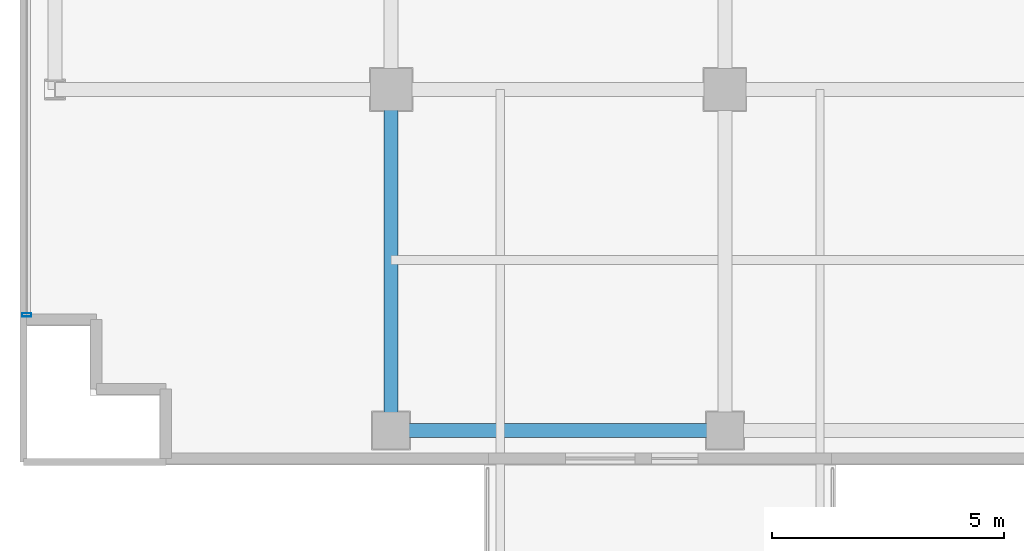
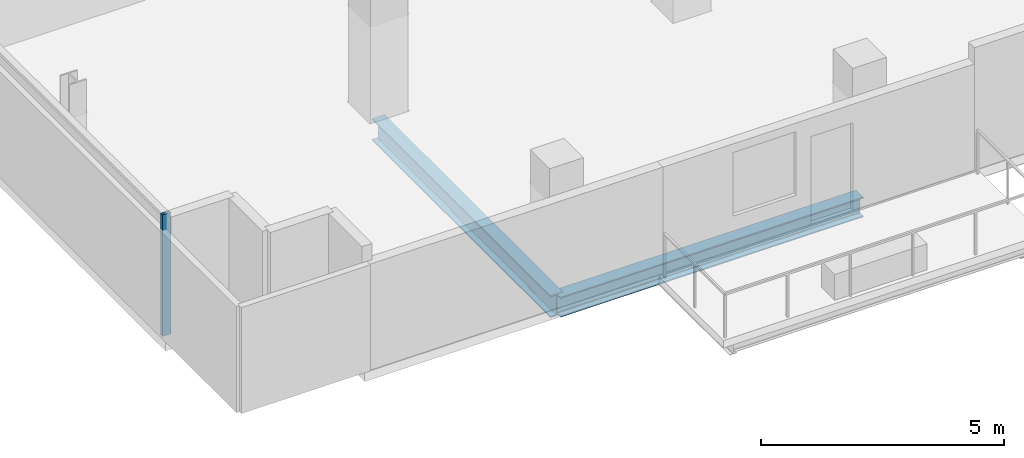
# One storey, part 2 of 27: 2 beams, 1 member, 1 element without a shape of its own.
"""IFC4 building model written with IfcOpenShell, lengths in metres."""

import ifcopenshell
import ifcopenshell.guid

model = None  # the IFC model being written
_history = None  # IfcOwnerHistory: only IFC2X3 demands one
_inside = {}  # id of a spatial element -> (the spatial element, [elements in it])
_under = {}  # id of a project, library or spatial element -> (it, [spatial elements below it])
_declared = {}  # id of a project -> (the project, [libraries it declares])
_typed = {}  # id of a type object -> (the type object, [elements of that type])
_made_of = {}  # id of a material, layer set ... -> (it, [elements and type objects made of it])


def new_model(schema):
    """Start an empty IFC model of exactly this schema.

    Asked for "IFC4X3", IfcOpenShell would pick the latest addendum, in which some entities
    have other attributes; the version numbers below select the first issue.
    IFC2X3 requires an IfcOwnerHistory on every rooted entity: one is made here for all.
    """
    global model, _history
    if schema == "IFC4X3":
        model = ifcopenshell.file(schema_version=(4, 3, 0, 0))
    else:
        model = ifcopenshell.file(schema=schema)
    _inside.clear()
    _under.clear()
    _declared.clear()
    _typed.clear()
    _made_of.clear()
    _history = None
    if model.schema == "IFC2X3":
        org = make("IfcOrganization", Name="unknown")
        user = make(
            "IfcPersonAndOrganization",
            ThePerson=make("IfcPerson", FamilyName="unknown"),
            TheOrganization=org,
        )
        app = make(
            "IfcApplication",
            ApplicationDeveloper=org,
            Version="unknown",
            ApplicationFullName="unknown",
            ApplicationIdentifier="unknown",
        )
        _history = make(
            "IfcOwnerHistory",
            OwningUser=user,
            OwningApplication=app,
            ChangeAction="ADDED",
            CreationDate=0,
        )
    return model


def make(cls, **values):
    """One entity of the class cls with the attributes given. An attribute that is None is left unset."""
    return model.create_entity(
        cls, **{name: value for name, value in values.items() if value is not None}
    )


def rooted(cls, **values):
    """An entity with a GlobalId (a new one), such as an element, a storey or a relation."""
    return make(cls, GlobalId=ifcopenshell.guid.new(), OwnerHistory=_history, **values)


def si_unit(unit_type, name, prefix=None):
    """IfcSIUnit, for example si_unit("LENGTHUNIT", "METRE", prefix="MILLI")."""
    return make("IfcSIUnit", UnitType=unit_type, Prefix=prefix, Name=name)


def assignment(units):
    """IfcUnitAssignment: the units of a project."""
    return None if units is None else make("IfcUnitAssignment", Units=units)


def point(xyz):
    """IfcCartesianPoint."""
    return None if xyz is None else make("IfcCartesianPoint", Coordinates=xyz)


def direction(xyz):
    """IfcDirection."""
    return None if xyz is None else make("IfcDirection", DirectionRatios=xyz)


def frame(location, z_axis=None, x_axis=None):
    """IfcAxis2Placement3D, a coordinate frame: its origin and axes. An axis left out is left unset."""
    return make(
        "IfcAxis2Placement3D",
        Location=point(location),
        Axis=direction(z_axis),
        RefDirection=direction(x_axis),
    )


def frame_2d(location, x_axis=None):
    """IfcAxis2Placement2D, a coordinate frame in the plane: its origin and x axis."""
    return make(
        "IfcAxis2Placement2D", Location=point(location), RefDirection=direction(x_axis)
    )


def origin():
    """The frame at (0, 0, 0) with its axes left unset."""
    return frame((0.0, 0.0, 0.0))


def origin_2d():
    """The frame at (0, 0) in the plane with its x axis left unset."""
    return frame_2d((0.0, 0.0))


def place(relative_to, where):
    """IfcLocalPlacement: puts the frame where relative to a parent placement (None: the world)."""
    return make(
        "IfcLocalPlacement", PlacementRelTo=relative_to, RelativePlacement=where
    )


def context(
    kind, dimensions, precision=None, world=None, true_north=None, identifier=None
):
    """IfcGeometricRepresentationContext, for example the 3D "Model" context."""
    return make(
        "IfcGeometricRepresentationContext",
        ContextIdentifier=identifier,
        ContextType=kind,
        CoordinateSpaceDimension=dimensions,
        Precision=precision,
        WorldCoordinateSystem=world,
        TrueNorth=true_north,
    )


def subcontext(parent, identifier, kind, view, scale=None):
    """IfcGeometricRepresentationSubContext, for example "Body" below "Model"."""
    return make(
        "IfcGeometricRepresentationSubContext",
        ContextIdentifier=identifier,
        ContextType=kind,
        ParentContext=parent,
        TargetScale=scale,
        TargetView=view,
    )


def project(units=None, contexts=None):
    """IfcProject with its units and contexts."""
    return rooted(
        "IfcProject",
        Name="project",
        RepresentationContexts=contexts,
        UnitsInContext=assignment(units),
    )


def spatial(cls, under=None, at=None, **own):
    """A site, building, storey or space (cls), placed at a placement, below another one or the project."""
    s = rooted(cls, ObjectPlacement=at, **own)
    if under is not None:
        _under.setdefault(under.id(), (under, []))[1].append(s)
    return s


def profile(cls, at=None, kind="AREA", **sizes):
    """A parametric profile (cls). Its sizes go by their IFC names, for example OverallWidth=200.0."""
    return make(cls, ProfileType=kind, Position=at, **sizes)


def hollow_rectangle(**sizes):
    """IfcRectangleHollowProfileDef."""
    return profile("IfcRectangleHollowProfileDef", **sizes)


def i_section(**sizes):
    """IfcIShapeProfileDef."""
    return profile("IfcIShapeProfileDef", **sizes)


def extrude(swept, where, along, depth):
    """IfcExtrudedAreaSolid: the profile swept, set in the frame where, extruded along a direction by depth."""
    return make(
        "IfcExtrudedAreaSolid",
        SweptArea=swept,
        Position=where,
        ExtrudedDirection=direction(along),
        Depth=depth,
    )


def shape(context_of_items, identifier, shape_type, items):
    """IfcShapeRepresentation: the items that make up one representation, for example the "Body"."""
    return make(
        "IfcShapeRepresentation",
        ContextOfItems=context_of_items,
        RepresentationIdentifier=identifier,
        RepresentationType=shape_type,
        Items=items,
    )


def source(mapping_origin, context_of_items, identifier, shape_type, items):
    """IfcRepresentationMap: a shape defined once, which mapped items show again and again."""
    return make(
        "IfcRepresentationMap",
        MappingOrigin=mapping_origin,
        MappedRepresentation=shape(context_of_items, identifier, shape_type, items),
    )


def transform(
    local_origin,
    x_axis=None,
    y_axis=None,
    z_axis=None,
    scale=None,
    scale2=None,
    scale3=None,
    uniform=True,
):
    """IfcCartesianTransformationOperator3D, or its non-uniform kind. x_axis, y_axis, z_axis: its Axis1, 2, 3."""
    if uniform:
        return make(
            "IfcCartesianTransformationOperator3D",
            Axis1=direction(x_axis),
            Axis2=direction(y_axis),
            LocalOrigin=point(local_origin),
            Scale=scale,
            Axis3=direction(z_axis),
        )
    return make(
        "IfcCartesianTransformationOperator3DnonUniform",
        Axis1=direction(x_axis),
        Axis2=direction(y_axis),
        LocalOrigin=point(local_origin),
        Scale=scale,
        Axis3=direction(z_axis),
        Scale2=scale2,
        Scale3=scale3,
    )


def mapped(mapping_source, mapping_target):
    """IfcMappedItem: shows the shape of a source again, moved by a transform."""
    return make(
        "IfcMappedItem", MappingSource=mapping_source, MappingTarget=mapping_target
    )


def material(Name=None, Category=None):
    """IfcMaterial."""
    return make("IfcMaterial", Name=Name, Category=Category)


def layer(
    of_material, thickness, ventilated=None, Name=None, Category=None, Priority=None
):
    """IfcMaterialLayer: one layer of a wall or slab, of a material (None: an air gap)."""
    return make(
        "IfcMaterialLayer",
        Material=of_material,
        LayerThickness=thickness,
        IsVentilated=ventilated,
        Name=Name,
        Category=Category,
        Priority=Priority,
    )


def layer_set(layers, Name=None):
    """IfcMaterialLayerSet."""
    return make("IfcMaterialLayerSet", MaterialLayers=layers, LayerSetName=Name)


def material_profile(
    of_material, cross_section, Name=None, Category=None, Priority=None
):
    """IfcMaterialProfile: a cross section and its material."""
    return make(
        "IfcMaterialProfile",
        Name=Name,
        Material=of_material,
        Profile=cross_section,
        Priority=Priority,
        Category=Category,
    )


def profile_set(profiles, Name=None, composite=None):
    """IfcMaterialProfileSet."""
    return make(
        "IfcMaterialProfileSet",
        Name=Name,
        MaterialProfiles=profiles,
        CompositeProfile=composite,
    )


def made_of(thing, what):
    """Note that an element or type object is made of a material, layer set ...; save() writes the relation."""
    if what is not None:
        _made_of.setdefault(what.id(), (what, []))[1].append(thing)
    return thing


def type_object(cls, material=None, **own):
    """A type object (cls), such as IfcWallType, which elements share."""
    return made_of(rooted(cls, **own), material)


def element(
    cls,
    number,
    at=None,
    inside=None,
    cuts=None,
    type_object=None,
    material=None,
    context=None,
    identifier="Body",
    shape_type=None,
    held_by="IfcProductDefinitionShape",
    body=None,
    shapes=None,
    **own,
):
    """One element of the class cls, such as IfcWall. Its Tag is "e" and its number.

    at: its placement. inside: the storey or other place that contains it. cuts: it is an
    opening in that element (IfcRelVoidsElement). A single representation is given by context,
    identifier, shape_type and body (its items); several are given by shapes. held_by: the class
    of the entity that holds the representations. save() writes the other relations.
    """
    e = rooted(cls, Tag="e%d" % number, ObjectPlacement=at, **own)
    if body is not None:
        shapes = [shape(context, identifier, shape_type, body)]
    if shapes is not None:
        e.Representation = make(held_by, Representations=shapes)
    if inside is not None:
        _inside.setdefault(inside.id(), (inside, []))[1].append(e)
    if cuts is not None:
        rooted(
            "IfcRelVoidsElement", RelatingBuildingElement=cuts, RelatedOpeningElement=e
        )
    if type_object is not None:
        _typed.setdefault(type_object.id(), (type_object, []))[1].append(e)
    return made_of(e, material)


def aggregate(whole, parts):
    """IfcRelAggregates: a whole, such as a stair, and the parts it consists of."""
    return rooted("IfcRelAggregates", RelatingObject=whole, RelatedObjects=parts)


def save(model, path):
    """Write the relations noted so far, then the file.

    IfcRelAggregates (storeys below a building ...), IfcRelContainedInSpatialStructure (elements
    in a storey), IfcRelDefinesByType, IfcRelAssociatesMaterial and IfcRelDeclares: one each for
    every whole, place, type object, material and project.
    """
    for whole, parts in _under.values():
        aggregate(whole, parts)
    for where, things in _inside.values():
        rooted(
            "IfcRelContainedInSpatialStructure",
            RelatedElements=things,
            RelatingStructure=where,
        )
    for kind, things in _typed.values():
        rooted("IfcRelDefinesByType", RelatedObjects=things, RelatingType=kind)
    for what, things in _made_of.values():
        rooted("IfcRelAssociatesMaterial", RelatedObjects=things, RelatingMaterial=what)
    for by, libraries in _declared.values():
        rooted("IfcRelDeclares", RelatingContext=by, RelatedDefinitions=libraries)
    model.write(path)


model = new_model("IFC4")

# Units and contexts
model_context = context("Model", 3, precision=1e-05, world=origin(), true_north=direction((0.0, 1.0)))
body_context = subcontext(model_context, "Body", "Model", "MODEL_VIEW")
ifc_project = project(units=[si_unit("LENGTHUNIT", "METRE"), si_unit("AREAUNIT", "SQUARE_METRE"), si_unit("VOLUMEUNIT", "CUBIC_METRE"), si_unit("PLANEANGLEUNIT", "RADIAN"), si_unit("MASSUNIT", "GRAM", prefix="KILO")], contexts=[model_context])

# Site, building, storey
site_placement = place(None, origin())
site = spatial("IfcSite", under=ifc_project, at=site_placement, CompositionType="ELEMENT")
building_placement = place(site_placement, origin())
building = spatial("IfcBuilding", under=site, at=building_placement, Name="Zarnakvel Exchange Tower", CompositionType="ELEMENT")
storey_placement = place(building_placement, frame((0.0, 0.0, 106.60009765625)))
storey = spatial("IfcBuildingStorey", under=building, at=storey_placement, Name="L29", CompositionType="ELEMENT", Elevation=106.60009765625)

# Beams
ifc_material_1 = material(Name="Steel S355", Category="steel")
ifc_material_profile_1 = material_profile(ifc_material_1, i_section(OverallWidth=0.300048828125, OverallDepth=0.550048828125, WebThickness=0.014892578125, FlangeThickness=0.029052734375, FilletRadius=0.027099609375, at=origin_2d()))
ifc_profile_set_1 = profile_set([ifc_material_profile_1], Name="Steel S355")
beam_type_1 = type_object("IfcBeamType", Name="G-05", PredefinedType="BEAM", material=ifc_profile_set_1)
beam_1_placement = place(storey_placement, frame((-21.60009765625, -16.949951171875, -0.5), z_axis=(0.0, 1.0, 0.0), x_axis=(-1.0, 0.0, 0.0)))
element("IfcBeam", 1, at=beam_1_placement, inside=storey, type_object=beam_type_1, Name="L29 Tower N-S Frame Beam", PredefinedType="BEAM", context=body_context, shape_type="SweptSolid", body=[
    extrude(i_section(OverallWidth=0.300048828125, OverallDepth=0.550048828125, WebThickness=0.014892578125, FlangeThickness=0.029052734375, FilletRadius=0.027099609375, at=origin_2d()), origin(), (0.0, 0.0, 1.0), 7.349853515625),
])
ifc_material_profile_2 = material_profile(ifc_material_1, i_section(OverallWidth=0.300048828125, OverallDepth=0.5, WebThickness=0.014404296875, FlangeThickness=0.028076171875, FilletRadius=0.027099609375, at=origin_2d()))
ifc_profile_set_2 = profile_set([ifc_material_profile_2], Name="Steel S355")
beam_type_2 = type_object("IfcBeamType", Name="SP-02", PredefinedType="SPANDREL", material=ifc_profile_set_2)
beam_2_placement = place(storey_placement, frame((-21.60009765625, -16.949951171875, -0.47509765625), z_axis=(1.0, 0.0, 0.0), x_axis=(0.0, 1.0, 0.0)))
element("IfcBeam", 2, at=beam_2_placement, inside=storey, type_object=beam_type_2, Name="L29 Tower E-W Frame Beam", PredefinedType="SPANDREL", context=body_context, shape_type="SweptSolid", body=[
    extrude(i_section(OverallWidth=0.300048828125, OverallDepth=0.5, WebThickness=0.014404296875, FlangeThickness=0.028076171875, FilletRadius=0.027099609375, at=origin_2d()), origin(), (0.0, 0.0, 1.0), 7.2001953125),
])

# Curtain wall, member
ifc_material_2 = material(Name="Architectural Bronze Anodised Aluminium", Category="aluminium")
ifc_layer = layer(ifc_material_2, 0.199951171875)
ifc_layer_set = layer_set([ifc_layer], Name="Architectural Bronze Anodised Aluminium")
curtain_wall_type = type_object("IfcCurtainWallType", Name="CW-04", PredefinedType="NOTDEFINED", material=ifc_layer_set)
curtain_wall_placement = place(storey_placement, origin())
curtain_wall = element("IfcCurtainWall", 3, at=curtain_wall_placement, inside=storey, type_object=curtain_wall_type, Name="L29 Curtain Wall CW-L29-W1 (CW-04)", PredefinedType="NOTDEFINED")
ifc_material_profile_3 = material_profile(ifc_material_2, hollow_rectangle(XDim=0.199951171875, YDim=0.074951171875, WallThickness=0.0048828125, at=origin_2d()))
ifc_profile_set_3 = profile_set([ifc_material_profile_3], Name="Architectural Bronze Anodised Aluminium")
member_type = type_object("IfcMemberType", Name="CWM-04", PredefinedType="MULLION", material=ifc_profile_set_3)
shared_shape = source(origin(), body_context, "Body", "SweptSolid", [
    extrude(hollow_rectangle(XDim=0.199951171875, YDim=0.074951171875, WallThickness=0.0048828125, at=origin_2d()), origin(), (0.0, 0.0, 1.0), 3.054931640625),
])
member_placement = place(storey_placement, frame((-29.4599609375, -14.46240234375, 0.0), z_axis=(0.0, 0.0, 1.0), x_axis=(-1.0, 0.0, 0.0)))
member = element("IfcMember", 4, at=member_placement, type_object=member_type, Name="CW-04 mullion 1", PredefinedType="MULLION", context=body_context, shape_type="MappedRepresentation", body=[
    mapped(shared_shape, transform((0.0, 0.0, 0.0), x_axis=(1.0, 0.0, 0.0), y_axis=(0.0, 1.0, 0.0), z_axis=(0.0, 0.0, 1.0), scale=1.0)),
])
aggregate(curtain_wall, [member])

save(model, "model.ifc")
